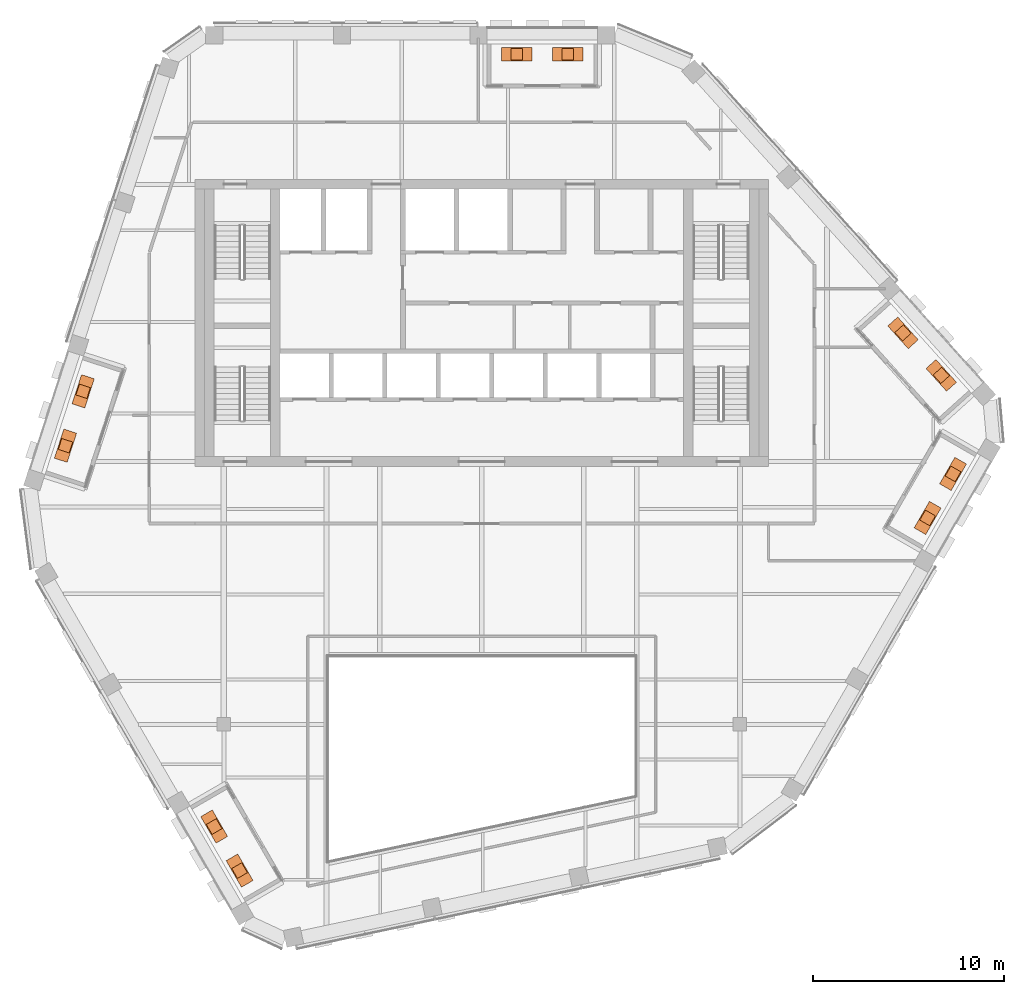
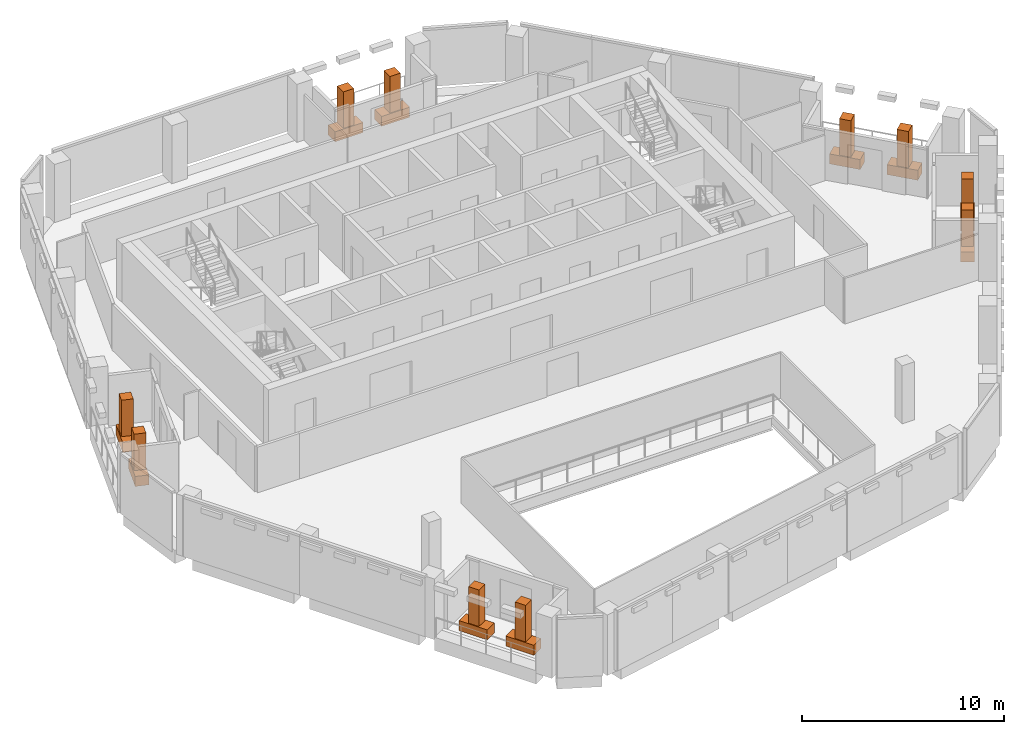
# One storey, part 22 of 22: 10 geographic elements, 10 proxies.
"""IFC4 building model written with IfcOpenShell, lengths in metres."""

from ifc_helpers import new_model, si_unit, direction, frame, origin, origin_2d, place, context, subcontext, project, spatial, rectangle, extrude, material, type_object, element, save


model = new_model("IFC4")

# Units and contexts
model_context = context("Model", 3, precision=1e-05, world=origin(), true_north=direction((0.0, 1.0)))
body_context = subcontext(model_context, "Body", "Model", "MODEL_VIEW")
ifc_project = project(units=[si_unit("LENGTHUNIT", "METRE"), si_unit("AREAUNIT", "SQUARE_METRE"), si_unit("VOLUMEUNIT", "CUBIC_METRE"), si_unit("PLANEANGLEUNIT", "RADIAN"), si_unit("MASSUNIT", "GRAM", prefix="KILO")], contexts=[model_context])

# Site, building, storey
site_placement = place(None, origin())
site = spatial("IfcSite", under=ifc_project, at=site_placement, CompositionType="ELEMENT")
building_placement = place(site_placement, origin())
building = spatial("IfcBuilding", under=site, at=building_placement, Name="Isthmus Gate Tower", CompositionType="ELEMENT")
storey_placement = place(building_placement, frame((0.0, 0.0, 264.60009765625)))
storey = spatial("IfcBuildingStorey", under=building, at=storey_placement, Name="L67", CompositionType="ELEMENT", Elevation=264.60009765625)

# Geographic elements
ifc_material_1 = material(Name="Plant material, broadleaf tree")
geographic_element_type = type_object("IfcGeographicElementType", Name="BROADLEAF TREE 2200 HIGH", PredefinedType="USERDEFINED", material=ifc_material_1)
for number, where, z_axis, x_axis, name in (
    (1, (4.49755859375, 21.550048828125, 0.60009765625), (0.0, 0.0, 1.0), (-1.0, 0.0, 0.0), "TREE"),
    (2, (1.836669921875, 21.550048828125, 0.60009765625), (0.0, 0.0, 1.0), (-1.0, 0.0, 0.0), "TREE"),
    (3, (-20.855712890625, 3.923583984375, 0.60009765625), (0.0, 0.0, 1.0), (-0.309016994375, -0.951056516295, 0.0), "TREE"),
    (4, (-21.78076171875, 1.076904296875, 0.60009765625), (0.0, 0.0, 1.0), (-0.309016994375, -0.951056516295, 0.0), "TREE"),
    (5, (-14.002197265625, -18.84765625, 0.60009765625), (0.0, 0.0, 1.0), (0.5, -0.866025403784, 0.0), "TREE"),
    (6, (-12.671630859375, -21.152099609375, 0.60009765625), (0.0, 0.0, 1.0), (0.5, -0.866025403784, 0.0), "TREE"),
    (7, (23.323486328125, -2.702392578125, 0.60009765625), (0.0, 0.0, 1.0), (0.5, 0.866025403784, 0.0), "TREE"),
    (8, (24.654052734375, -0.39794921875, 0.60009765625), (0.0, 0.0, 1.0), (0.5, 0.866025403784, 0.0), "TREE"),
    (9, (24.0390625, 4.7568359375, 0.60009765625), (0.0, 0.0, 1.0), (-0.669130606359, 0.743144825477, 0.0), "TREE"),
    (10, (22.036376953125, 6.981201171875, 0.60009765625), (0.0, 0.0, 1.0), (-0.669130606359, 0.743144825477, 0.0), "TREE"),
):
    element("IfcGeographicElement", number, at=place(storey_placement, frame(where, z_axis=z_axis, x_axis=x_axis)), inside=storey, type_object=geographic_element_type, Name=name, ObjectType="TREE", PredefinedType="USERDEFINED", context=body_context, shape_type="SweptSolid", body=[
        extrude(rectangle(XDim=0.60009765625, YDim=0.60009765625, at=origin_2d()), origin(), (0.0, 0.0, 1.0), 2.199951171875),
    ])

# Proxies
ifc_material_2 = material(Name="Concrete f'c 40 MPa", Category="concrete")
building_element_proxy_type = type_object("IfcBuildingElementProxyType", Name="CONCRETE PLANTER 1600 X 700 X 600", PredefinedType="USERDEFINED", material=ifc_material_2)
for number, where, z_axis, x_axis, name in (
    (11, (4.49755859375, 21.550048828125, -0.000244140625), (0.0, 0.0, 1.0), (-1.0, 0.0, 0.0), "PLANTER"),
    (12, (1.836669921875, 21.550048828125, -0.000244140625), (0.0, 0.0, 1.0), (-1.0, 0.0, 0.0), "PLANTER"),
    (13, (-20.855712890625, 3.923583984375, -0.000244140625), (0.0, 0.0, 1.0), (-0.309016994375, -0.951056516295, 0.0), "PLANTER"),
    (14, (-21.78076171875, 1.076904296875, -0.000244140625), (0.0, 0.0, 1.0), (-0.309016994375, -0.951056516295, 0.0), "PLANTER"),
    (15, (-14.002197265625, -18.84765625, -0.000244140625), (0.0, 0.0, 1.0), (0.5, -0.866025403784, 0.0), "PLANTER"),
    (16, (-12.671630859375, -21.152099609375, -0.000244140625), (0.0, 0.0, 1.0), (0.5, -0.866025403784, 0.0), "PLANTER"),
    (17, (23.323486328125, -2.702392578125, -0.000244140625), (0.0, 0.0, 1.0), (0.5, 0.866025403784, 0.0), "PLANTER"),
    (18, (24.654052734375, -0.39794921875, -0.000244140625), (0.0, 0.0, 1.0), (0.5, 0.866025403784, 0.0), "PLANTER"),
    (19, (24.0390625, 4.7568359375, -0.000244140625), (0.0, 0.0, 1.0), (-0.669130606359, 0.743144825477, 0.0), "PLANTER"),
    (20, (22.036376953125, 6.981201171875, -0.000244140625), (0.0, 0.0, 1.0), (-0.669130606359, 0.743144825477, 0.0), "PLANTER"),
):
    element("IfcBuildingElementProxy", number, at=place(storey_placement, frame(where, z_axis=z_axis, x_axis=x_axis)), inside=storey, type_object=building_element_proxy_type, Name=name, ObjectType="PLANTER", PredefinedType="USERDEFINED", context=body_context, shape_type="SweptSolid", body=[
        extrude(rectangle(XDim=1.60009765625, YDim=0.699951171875, at=origin_2d()), origin(), (0.0, 0.0, 1.0), 0.60009765625),
    ])

save(model, "model.ifc")
